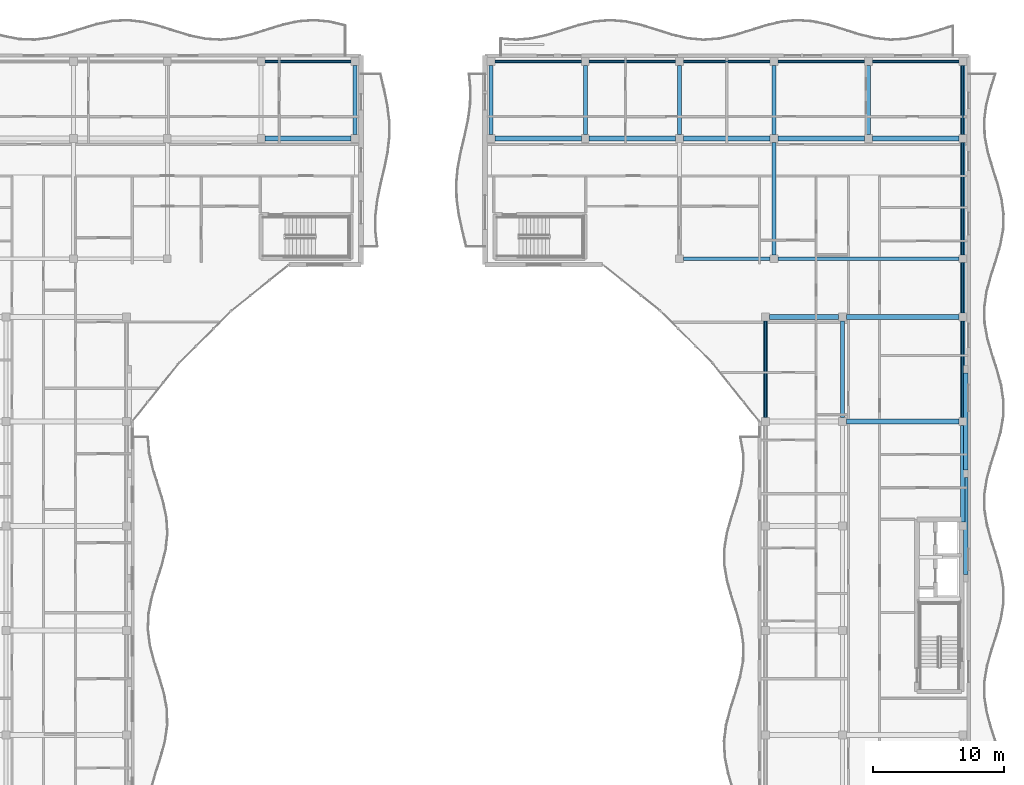
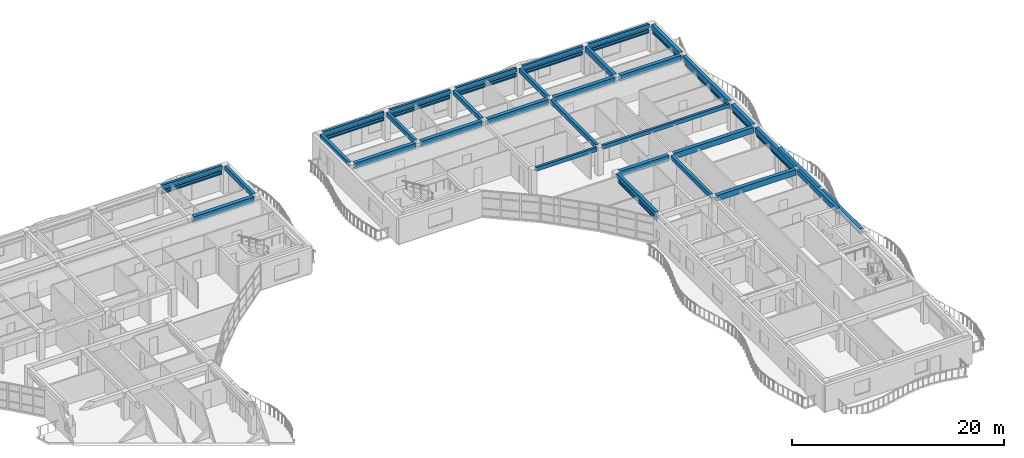
# One storey, part 27 of 79: 33 beams, 22 members.
"""IFC4 building model written with IfcOpenShell, lengths in metres."""

from ifc_helpers import new_model, si_unit, direction, frame, origin, origin_2d, place, context, subcontext, project, spatial, rectangle, hollow_rectangle, extrude, material, material_profile, profile_set, type_object, element, save


model = new_model("IFC4")

# Units and contexts
model_context = context("Model", 3, precision=1e-05, world=origin(), true_north=direction((0.0, 1.0)))
body_context = subcontext(model_context, "Body", "Model", "MODEL_VIEW")
ifc_project = project(units=[si_unit("LENGTHUNIT", "METRE"), si_unit("AREAUNIT", "SQUARE_METRE"), si_unit("VOLUMEUNIT", "CUBIC_METRE"), si_unit("PLANEANGLEUNIT", "RADIAN"), si_unit("MASSUNIT", "GRAM", prefix="KILO")], contexts=[model_context])

# Site, building, storey
site_placement = place(None, origin())
site = spatial("IfcSite", under=ifc_project, at=site_placement, CompositionType="ELEMENT")
building_placement = place(site_placement, origin())
building = spatial("IfcBuilding", under=site, at=building_placement, Name="Keldmere Railside Commons", CompositionType="ELEMENT")
storey_placement = place(building_placement, frame((0.0, 0.0, 10.56005859375)))
storey = spatial("IfcBuildingStorey", under=building, at=storey_placement, Name="L03", CompositionType="ELEMENT", Elevation=10.56005859375)

# Members
ifc_material_1 = material(Name="Steel F-36 (S355)", Category="steel")
ifc_material_profile_1 = material_profile(ifc_material_1, hollow_rectangle(XDim=0.14990234375, YDim=0.25, WallThickness=0.010009765625, at=origin_2d()), Name="RHS-250x150x10")
ifc_profile_set_1 = profile_set([ifc_material_profile_1], Name="Steel F-36 (S355)")
member_type_1 = type_object("IfcMemberType", Name="Balcony Continuous Planted Trough RHS250x150", PredefinedType="CHORD", material=ifc_profile_set_1)
member_1_placement = place(storey_placement, frame((130.1669921875, 115.550048828125, 2.4150390625), z_axis=(1.0, 0.0, 0.0), x_axis=(0.0, 1.0, 0.0)))
element("IfcMember", 1, at=member_1_placement, inside=storey, type_object=member_type_1, Name="PLT-1 MEM-BPLT-0399", PredefinedType="CHORD", context=body_context, shape_type="SweptSolid", body=[
    extrude(hollow_rectangle(XDim=0.14990234375, YDim=0.25, WallThickness=0.010009765625, at=origin_2d()), origin(), (0.0, 0.0, 1.0), 6.5830078125),
])
for number, where, z_axis, x_axis, name in (
    (2, (147.75, 115.550048828125, 2.4150390625), (1.0, 0.0, 0.0), (0.0, 1.0, 0.0), "PLT-1 MEM-BPLT-0417"),
    (3, (154.969970703125, 115.550048828125, 2.4150390625), (1.0, 0.0, 0.0), (0.0, 1.0, 0.0), "PLT-1 MEM-BPLT-0419"),
    (4, (162.18994140625, 115.550048828125, 2.4150390625), (1.0, 0.0, 0.0), (0.0, 1.0, 0.0), "PLT-1 MEM-BPLT-0421"),
    (5, (169.409912109375, 115.550048828125, 2.4150390625), (1.0, 0.0, 0.0), (0.0, 1.0, 0.0), "PLT-1 MEM-BPLT-0423"),
    (6, (176.6298828125, 115.550048828125, 2.4150390625), (1.0, 0.0, 0.0), (0.0, 1.0, 0.0), "PLT-1 MEM-BPLT-0425"),
):
    element("IfcMember", number, at=place(storey_placement, frame(where, z_axis=z_axis, x_axis=x_axis)), inside=storey, type_object=member_type_1, Name=name, PredefinedType="CHORD", context=body_context, shape_type="SweptSolid", body=[
        extrude(hollow_rectangle(XDim=0.14990234375, YDim=0.25, WallThickness=0.010009765625, at=origin_2d()), origin(), (0.0, 0.0, 1.0), 6.6201171875),
    ])
for number, where, z_axis, x_axis, name in (
    (7, (168.449951171875, 88.300048828125, 2.4150390625), (0.0, 1.0, 0.0), (-1.0, 0.0, 0.0), "PLT-1 MEM-BPLT-0435"),
    (8, (183.550048828125, 88.300048828125, 2.4150390625), (0.0, 1.0, 0.0), (-1.0, 0.0, 0.0), "PLT-1 MEM-BPLT-0439"),
):
    element("IfcMember", number, at=place(storey_placement, frame(where, z_axis=z_axis, x_axis=x_axis)), inside=storey, type_object=member_type_1, Name=name, PredefinedType="CHORD", context=body_context, shape_type="SweptSolid", body=[
        extrude(hollow_rectangle(XDim=0.14990234375, YDim=0.25, WallThickness=0.010009765625, at=origin_2d()), origin(), (0.0, 0.0, 1.0), 7.39990234375),
    ])
member_2_placement = place(storey_placement, frame((183.550048828125, 96.300048828125, 2.4150390625), z_axis=(0.0, 1.0, 0.0), x_axis=(-1.0, 0.0, 0.0)))
element("IfcMember", 9, at=member_2_placement, inside=storey, type_object=member_type_1, Name="PLT-1 MEM-BPLT-0441", PredefinedType="CHORD", context=body_context, shape_type="SweptSolid", body=[
    extrude(hollow_rectangle(XDim=0.14990234375, YDim=0.25, WallThickness=0.010009765625, at=origin_2d()), origin(), (0.0, 0.0, 1.0), 3.849853515625),
])
member_3_placement = place(storey_placement, frame((183.550048828125, 100.75, 2.4150390625), z_axis=(0.0, 1.0, 0.0), x_axis=(-1.0, 0.0, 0.0)))
element("IfcMember", 10, at=member_3_placement, inside=storey, type_object=member_type_1, Name="PLT-1 MEM-BPLT-0443", PredefinedType="CHORD", context=body_context, shape_type="SweptSolid", body=[
    extrude(hollow_rectangle(XDim=0.14990234375, YDim=0.25, WallThickness=0.010009765625, at=origin_2d()), origin(), (0.0, 0.0, 1.0), 8.60009765625),
])
member_4_placement = place(storey_placement, frame((183.550048828125, 109.949951171875, 2.4150390625), z_axis=(0.0, 1.0, 0.0), x_axis=(-1.0, 0.0, 0.0)))
element("IfcMember", 11, at=member_4_placement, inside=storey, type_object=member_type_1, Name="PLT-1 MEM-BPLT-0445", PredefinedType="CHORD", context=body_context, shape_type="SweptSolid", body=[
    extrude(hollow_rectangle(XDim=0.14990234375, YDim=0.25, WallThickness=0.010009765625, at=origin_2d()), origin(), (0.0, 0.0, 1.0), 5.300048828125),
])

# Beams
ifc_material_2 = material(Name="Architectural Precast Concrete H-35 (C35/45)", Category="concrete")
ifc_material_profile_2 = material_profile(ifc_material_2, rectangle(XDim=0.25, YDim=0.449951171875, at=origin_2d()), Name="RC-250x450")
ifc_profile_set_2 = profile_set([ifc_material_profile_2], Name="Architectural Precast Concrete H-35 (C35/45)")
beam_type_1 = type_object("IfcBeamType", Name="Perimeter Precast Spandrel Beam 250x450", PredefinedType="SPANDREL", material=ifc_profile_set_2)
beam_1_placement = place(storey_placement, frame((162.18994140625, 100.449951171875, 2.974853515625), z_axis=(1.0, 0.0, 0.0), x_axis=(0.0, 1.0, 0.0)))
element("IfcBeam", 12, at=beam_1_placement, inside=storey, type_object=beam_type_1, Name="SPB-1 BM-L03-1377", PredefinedType="SPANDREL", context=body_context, shape_type="SweptSolid", body=[
    extrude(rectangle(XDim=0.25, YDim=0.449951171875, at=origin_2d()), origin(), (0.0, 0.0, 1.0), 6.6201171875),
])
beam_2_placement = place(storey_placement, frame((169.409912109375, 100.449951171875, 2.974853515625), z_axis=(1.0, 0.0, 0.0), x_axis=(0.0, 1.0, 0.0)))
element("IfcBeam", 13, at=beam_2_placement, inside=storey, type_object=beam_type_1, Name="SPB-1 BM-L03-1378", PredefinedType="SPANDREL", context=body_context, shape_type="SweptSolid", body=[
    extrude(rectangle(XDim=0.25, YDim=0.449951171875, at=origin_2d()), origin(), (0.0, 0.0, 1.0), 13.840087890625),
])
beam_3_placement = place(storey_placement, frame((130.1669921875, 115.550048828125, 2.974853515625), z_axis=(1.0, 0.0, 0.0), x_axis=(0.0, 1.0, 0.0)))
element("IfcBeam", 14, at=beam_3_placement, inside=storey, type_object=beam_type_1, Name="SPB-1 BM-L03-1411", PredefinedType="SPANDREL", context=body_context, shape_type="SweptSolid", body=[
    extrude(rectangle(XDim=0.25, YDim=0.449951171875, at=origin_2d()), origin(), (0.0, 0.0, 1.0), 6.5830078125),
])
for number, where, z_axis, x_axis, name in (
    (15, (147.75, 115.550048828125, 2.974853515625), (1.0, 0.0, 0.0), (0.0, 1.0, 0.0), "SPB-1 BM-L03-1412"),
    (16, (154.969970703125, 115.550048828125, 2.974853515625), (1.0, 0.0, 0.0), (0.0, 1.0, 0.0), "SPB-1 BM-L03-1413"),
    (17, (162.18994140625, 115.550048828125, 2.974853515625), (1.0, 0.0, 0.0), (0.0, 1.0, 0.0), "SPB-1 BM-L03-1414"),
    (18, (169.409912109375, 115.550048828125, 2.974853515625), (1.0, 0.0, 0.0), (0.0, 1.0, 0.0), "SPB-1 BM-L03-1415"),
    (19, (176.6298828125, 115.550048828125, 2.974853515625), (1.0, 0.0, 0.0), (0.0, 1.0, 0.0), "SPB-1 BM-L03-1416"),
):
    element("IfcBeam", number, at=place(storey_placement, frame(where, z_axis=z_axis, x_axis=x_axis)), inside=storey, type_object=beam_type_1, Name=name, PredefinedType="SPANDREL", context=body_context, shape_type="SweptSolid", body=[
        extrude(rectangle(XDim=0.25, YDim=0.449951171875, at=origin_2d()), origin(), (0.0, 0.0, 1.0), 6.6201171875),
    ])
ifc_material_3 = material(Name="Concrete H-30 (C30/37)", Category="concrete")
ifc_material_profile_3 = material_profile(ifc_material_3, rectangle(XDim=0.35009765625, YDim=0.60009765625, at=origin_2d()), Name="RC-350x600")
ifc_profile_set_3 = profile_set([ifc_material_profile_3], Name="Concrete H-30 (C30/37)")
beam_type_2 = type_object("IfcBeamType", Name="Residential Chord RC Beam 350x600", PredefinedType="BEAM", material=ifc_profile_set_3)
beam_4_placement = place(storey_placement, frame((176.330078125, 109.949951171875, 2.89990234375), z_axis=(0.0, 1.0, 0.0), x_axis=(-1.0, 0.0, 0.0)))
element("IfcBeam", 20, at=beam_4_placement, inside=storey, type_object=beam_type_2, Name="BG-4 BM-L03-1505", PredefinedType="BEAM", context=body_context, shape_type="SweptSolid", body=[
    extrude(rectangle(XDim=0.35009765625, YDim=0.60009765625, at=origin_2d()), origin(), (0.0, 0.0, 1.0), 5.300048828125),
])
for number, where, z_axis, x_axis, name in (
    (21, (183.550048828125, 80.300048828125, 2.89990234375), (0.0, 1.0, 0.0), (-1.0, 0.0, 0.0), "BG-4 BM-L03-1507"),
    (22, (183.550048828125, 88.300048828125, 2.89990234375), (0.0, 1.0, 0.0), (-1.0, 0.0, 0.0), "BG-4 BM-L03-1508"),
):
    element("IfcBeam", number, at=place(storey_placement, frame(where, z_axis=z_axis, x_axis=x_axis)), inside=storey, type_object=beam_type_2, Name=name, PredefinedType="BEAM", context=body_context, shape_type="SweptSolid", body=[
        extrude(rectangle(XDim=0.35009765625, YDim=0.60009765625, at=origin_2d()), origin(), (0.0, 0.0, 1.0), 7.39990234375),
    ])
beam_5_placement = place(storey_placement, frame((183.550048828125, 96.300048828125, 2.89990234375), z_axis=(0.0, 1.0, 0.0), x_axis=(-1.0, 0.0, 0.0)))
element("IfcBeam", 23, at=beam_5_placement, inside=storey, type_object=beam_type_2, Name="BG-4 BM-L03-1509", PredefinedType="BEAM", context=body_context, shape_type="SweptSolid", body=[
    extrude(rectangle(XDim=0.35009765625, YDim=0.60009765625, at=origin_2d()), origin(), (0.0, 0.0, 1.0), 3.849853515625),
])
beam_6_placement = place(storey_placement, frame((183.550048828125, 100.75, 2.89990234375), z_axis=(0.0, 1.0, 0.0), x_axis=(-1.0, 0.0, 0.0)))
element("IfcBeam", 24, at=beam_6_placement, inside=storey, type_object=beam_type_2, Name="BG-4 BM-L03-1510", PredefinedType="BEAM", context=body_context, shape_type="SweptSolid", body=[
    extrude(rectangle(XDim=0.35009765625, YDim=0.60009765625, at=origin_2d()), origin(), (0.0, 0.0, 1.0), 8.60009765625),
])
beam_7_placement = place(storey_placement, frame((183.550048828125, 109.949951171875, 2.89990234375), z_axis=(0.0, 1.0, 0.0), x_axis=(-1.0, 0.0, 0.0)))
element("IfcBeam", 25, at=beam_7_placement, inside=storey, type_object=beam_type_2, Name="BG-4 BM-L03-1511", PredefinedType="BEAM", context=body_context, shape_type="SweptSolid", body=[
    extrude(rectangle(XDim=0.35009765625, YDim=0.60009765625, at=origin_2d()), origin(), (0.0, 0.0, 1.0), 5.300048828125),
])
for number, where, z_axis, x_axis, name in (
    (26, (183.780029296875, 76.27490234375, 2.89990234375), (0.0, 1.0, 0.0), (-1.0, 0.0, 0.0), "BG-4 BM-L03-1512"),
    (27, (183.780029296875, 84.27490234375, 2.89990234375), (0.0, 1.0, 0.0), (-1.0, 0.0, 0.0), "BG-4 BM-L03-1513"),
):
    element("IfcBeam", number, at=place(storey_placement, frame(where, z_axis=z_axis, x_axis=x_axis)), inside=storey, type_object=beam_type_2, Name=name, PredefinedType="BEAM", context=body_context, shape_type="SweptSolid", body=[
        extrude(rectangle(XDim=0.35009765625, YDim=0.60009765625, at=origin_2d()), origin(), (0.0, 0.0, 1.0), 7.4501953125),
    ])
ifc_material_profile_4 = material_profile(ifc_material_3, rectangle(XDim=0.39990234375, YDim=0.64990234375, at=origin_2d()), Name="RC-400x650")
ifc_profile_set_4 = profile_set([ifc_material_profile_4], Name="Concrete H-30 (C30/37)")
beam_type_3 = type_object("IfcBeamType", Name="Residential Spine RC Girder 400x650", PredefinedType="BEAM", material=ifc_profile_set_4)
beam_8_placement = place(storey_placement, frame((174.64990234375, 88.0, 2.875), z_axis=(1.0, 0.0, 0.0), x_axis=(0.0, 1.0, 0.0)))
element("IfcBeam", 28, at=beam_8_placement, inside=storey, type_object=beam_type_3, Name="BG-3 BM-L03-1360", PredefinedType="BEAM", context=body_context, shape_type="SweptSolid", body=[
    extrude(rectangle(XDim=0.39990234375, YDim=0.64990234375, at=origin_2d()), origin(), (0.0, 0.0, 1.0), 8.60009765625),
])
beam_9_placement = place(storey_placement, frame((168.75, 96.0, 2.875), z_axis=(1.0, 0.0, 0.0), x_axis=(0.0, 1.0, 0.0)))
element("IfcBeam", 29, at=beam_9_placement, inside=storey, type_object=beam_type_3, Name="BG-3 BM-L03-1367", PredefinedType="BEAM", context=body_context, shape_type="SweptSolid", body=[
    extrude(rectangle(XDim=0.39990234375, YDim=0.64990234375, at=origin_2d()), origin(), (0.0, 0.0, 1.0), 5.300048828125),
])
beam_10_placement = place(storey_placement, frame((174.64990234375, 96.0, 2.875), z_axis=(1.0, 0.0, 0.0), x_axis=(0.0, 1.0, 0.0)))
element("IfcBeam", 30, at=beam_10_placement, inside=storey, type_object=beam_type_3, Name="BG-3 BM-L03-1368", PredefinedType="BEAM", context=body_context, shape_type="SweptSolid", body=[
    extrude(rectangle(XDim=0.39990234375, YDim=0.64990234375, at=origin_2d()), origin(), (0.0, 0.0, 1.0), 8.60009765625),
])
beam_11_placement = place(storey_placement, frame((130.1669921875, 109.64990234375, 2.875), z_axis=(1.0, 0.0, 0.0), x_axis=(0.0, 1.0, 0.0)))
element("IfcBeam", 31, at=beam_11_placement, inside=storey, type_object=beam_type_3, Name="BG-3 BM-L03-1392", PredefinedType="BEAM", context=body_context, shape_type="SweptSolid", body=[
    extrude(rectangle(XDim=0.39990234375, YDim=0.64990234375, at=origin_2d()), origin(), (0.0, 0.0, 1.0), 6.5830078125),
])
for number, where, z_axis, x_axis, name in (
    (32, (147.75, 109.64990234375, 2.875), (1.0, 0.0, 0.0), (0.0, 1.0, 0.0), "BG-3 BM-L03-1393"),
    (33, (154.969970703125, 109.64990234375, 2.875), (1.0, 0.0, 0.0), (0.0, 1.0, 0.0), "BG-3 BM-L03-1394"),
    (34, (162.18994140625, 109.64990234375, 2.875), (1.0, 0.0, 0.0), (0.0, 1.0, 0.0), "BG-3 BM-L03-1395"),
    (35, (169.409912109375, 109.64990234375, 2.875), (1.0, 0.0, 0.0), (0.0, 1.0, 0.0), "BG-3 BM-L03-1396"),
    (36, (176.6298828125, 109.64990234375, 2.875), (1.0, 0.0, 0.0), (0.0, 1.0, 0.0), "BG-3 BM-L03-1397"),
):
    element("IfcBeam", number, at=place(storey_placement, frame(where, z_axis=z_axis, x_axis=x_axis)), inside=storey, type_object=beam_type_3, Name=name, PredefinedType="BEAM", context=body_context, shape_type="SweptSolid", body=[
        extrude(rectangle(XDim=0.39990234375, YDim=0.64990234375, at=origin_2d()), origin(), (0.0, 0.0, 1.0), 6.6201171875),
    ])
ifc_material_profile_5 = material_profile(ifc_material_3, rectangle(XDim=0.300048828125, YDim=0.5, at=origin_2d()), Name="RC-300x500")
ifc_profile_set_5 = profile_set([ifc_material_profile_5], Name="Concrete H-30 (C30/37)")
beam_type_4 = type_object("IfcBeamType", Name="Secondary Frame RC Beam 300x500", PredefinedType="BEAM", material=ifc_profile_set_5)
for number, where, z_axis, x_axis, name in (
    (37, (137.050048828125, 109.949951171875, 2.949951171875), (0.0, 1.0, 0.0), (-1.0, 0.0, 0.0), "BG-5 BM-L03-1488"),
    (38, (147.449951171875, 109.949951171875, 2.949951171875), (0.0, 1.0, 0.0), (-1.0, 0.0, 0.0), "BG-5 BM-L03-1489"),
    (39, (154.669921875, 109.949951171875, 2.949951171875), (0.0, 1.0, 0.0), (-1.0, 0.0, 0.0), "BG-5 BM-L03-1490"),
    (40, (161.889892578125, 109.949951171875, 2.949951171875), (0.0, 1.0, 0.0), (-1.0, 0.0, 0.0), "BG-5 BM-L03-1492"),
):
    element("IfcBeam", number, at=place(storey_placement, frame(where, z_axis=z_axis, x_axis=x_axis)), inside=storey, type_object=beam_type_4, Name=name, PredefinedType="BEAM", context=body_context, shape_type="SweptSolid", body=[
        extrude(rectangle(XDim=0.300048828125, YDim=0.5, at=origin_2d()), origin(), (0.0, 0.0, 1.0), 5.300048828125),
    ])
beam_12_placement = place(storey_placement, frame((168.449951171875, 88.300048828125, 2.949951171875), z_axis=(0.0, 1.0, 0.0), x_axis=(-1.0, 0.0, 0.0)))
element("IfcBeam", 41, at=beam_12_placement, inside=storey, type_object=beam_type_4, Name="BG-5 BM-L03-1497", PredefinedType="BEAM", context=body_context, shape_type="SweptSolid", body=[
    extrude(rectangle(XDim=0.300048828125, YDim=0.5, at=origin_2d()), origin(), (0.0, 0.0, 1.0), 7.39990234375),
])
beam_13_placement = place(storey_placement, frame((169.110107421875, 100.75, 2.949951171875), z_axis=(0.0, 1.0, 0.0), x_axis=(-1.0, 0.0, 0.0)))
element("IfcBeam", 42, at=beam_13_placement, inside=storey, type_object=beam_type_4, Name="BG-5 BM-L03-1498", PredefinedType="BEAM", context=body_context, shape_type="SweptSolid", body=[
    extrude(rectangle(XDim=0.300048828125, YDim=0.5, at=origin_2d()), origin(), (0.0, 0.0, 1.0), 8.60009765625),
])
beam_14_placement = place(storey_placement, frame((169.110107421875, 109.949951171875, 2.949951171875), z_axis=(0.0, 1.0, 0.0), x_axis=(-1.0, 0.0, 0.0)))
element("IfcBeam", 43, at=beam_14_placement, inside=storey, type_object=beam_type_4, Name="BG-5 BM-L03-1499", PredefinedType="BEAM", context=body_context, shape_type="SweptSolid", body=[
    extrude(rectangle(XDim=0.300048828125, YDim=0.5, at=origin_2d()), origin(), (0.0, 0.0, 1.0), 5.300048828125),
])
beam_15_placement = place(storey_placement, frame((174.35009765625, 88.300048828125, 2.949951171875), z_axis=(0.0, 1.0, 0.0), x_axis=(-1.0, 0.0, 0.0)))
element("IfcBeam", 44, at=beam_15_placement, inside=storey, type_object=beam_type_4, Name="BG-5 BM-L03-1504", PredefinedType="BEAM", context=body_context, shape_type="SweptSolid", body=[
    extrude(rectangle(XDim=0.300048828125, YDim=0.5, at=origin_2d()), origin(), (0.0, 0.0, 1.0), 7.39990234375),
])

# Members
ifc_material_profile_6 = material_profile(ifc_material_1, hollow_rectangle(XDim=0.10009765625, YDim=0.159912109375, WallThickness=0.008056640625, at=origin_2d()), Name="RHS-160x100x8")
ifc_profile_set_6 = profile_set([ifc_material_profile_6], Name="Steel F-36 (S355)")
member_type_2 = type_object("IfcMemberType", Name="Solar Brise-Soleil Louvre Fin RHS160x100", PredefinedType="STRUT", material=ifc_profile_set_6)
member_5_placement = place(storey_placement, frame((130.1669921875, 115.550048828125, 2.199951171875), z_axis=(1.0, 0.0, 0.0), x_axis=(0.0, 1.0, 0.0)))
element("IfcMember", 45, at=member_5_placement, inside=storey, type_object=member_type_2, Name="BSF-1 MEM-BSF-0400", PredefinedType="STRUT", context=body_context, shape_type="SweptSolid", body=[
    extrude(hollow_rectangle(XDim=0.10009765625, YDim=0.159912109375, WallThickness=0.008056640625, at=origin_2d()), origin(), (0.0, 0.0, 1.0), 6.5830078125),
])
for number, where, z_axis, x_axis, name in (
    (46, (147.75, 115.550048828125, 2.199951171875), (1.0, 0.0, 0.0), (0.0, 1.0, 0.0), "BSF-1 MEM-BSF-0418"),
    (47, (154.969970703125, 115.550048828125, 2.199951171875), (1.0, 0.0, 0.0), (0.0, 1.0, 0.0), "BSF-1 MEM-BSF-0420"),
    (48, (162.18994140625, 115.550048828125, 2.199951171875), (1.0, 0.0, 0.0), (0.0, 1.0, 0.0), "BSF-1 MEM-BSF-0422"),
    (49, (169.409912109375, 115.550048828125, 2.199951171875), (1.0, 0.0, 0.0), (0.0, 1.0, 0.0), "BSF-1 MEM-BSF-0424"),
    (50, (176.6298828125, 115.550048828125, 2.199951171875), (1.0, 0.0, 0.0), (0.0, 1.0, 0.0), "BSF-1 MEM-BSF-0426"),
):
    element("IfcMember", number, at=place(storey_placement, frame(where, z_axis=z_axis, x_axis=x_axis)), inside=storey, type_object=member_type_2, Name=name, PredefinedType="STRUT", context=body_context, shape_type="SweptSolid", body=[
        extrude(hollow_rectangle(XDim=0.10009765625, YDim=0.159912109375, WallThickness=0.008056640625, at=origin_2d()), origin(), (0.0, 0.0, 1.0), 6.6201171875),
    ])
for number, where, z_axis, x_axis, name in (
    (51, (168.449951171875, 88.300048828125, 2.199951171875), (0.0, 1.0, 0.0), (-1.0, 0.0, 0.0), "BSF-1 MEM-BSF-0436"),
    (52, (183.550048828125, 88.300048828125, 2.199951171875), (0.0, 1.0, 0.0), (-1.0, 0.0, 0.0), "BSF-1 MEM-BSF-0440"),
):
    element("IfcMember", number, at=place(storey_placement, frame(where, z_axis=z_axis, x_axis=x_axis)), inside=storey, type_object=member_type_2, Name=name, PredefinedType="STRUT", context=body_context, shape_type="SweptSolid", body=[
        extrude(hollow_rectangle(XDim=0.10009765625, YDim=0.159912109375, WallThickness=0.008056640625, at=origin_2d()), origin(), (0.0, 0.0, 1.0), 7.39990234375),
    ])
member_6_placement = place(storey_placement, frame((183.550048828125, 96.300048828125, 2.199951171875), z_axis=(0.0, 1.0, 0.0), x_axis=(-1.0, 0.0, 0.0)))
element("IfcMember", 53, at=member_6_placement, inside=storey, type_object=member_type_2, Name="BSF-1 MEM-BSF-0442", PredefinedType="STRUT", context=body_context, shape_type="SweptSolid", body=[
    extrude(hollow_rectangle(XDim=0.10009765625, YDim=0.159912109375, WallThickness=0.008056640625, at=origin_2d()), origin(), (0.0, 0.0, 1.0), 3.849853515625),
])
member_7_placement = place(storey_placement, frame((183.550048828125, 100.75, 2.199951171875), z_axis=(0.0, 1.0, 0.0), x_axis=(-1.0, 0.0, 0.0)))
element("IfcMember", 54, at=member_7_placement, inside=storey, type_object=member_type_2, Name="BSF-1 MEM-BSF-0444", PredefinedType="STRUT", context=body_context, shape_type="SweptSolid", body=[
    extrude(hollow_rectangle(XDim=0.10009765625, YDim=0.159912109375, WallThickness=0.008056640625, at=origin_2d()), origin(), (0.0, 0.0, 1.0), 8.60009765625),
])
member_8_placement = place(storey_placement, frame((183.550048828125, 109.949951171875, 2.199951171875), z_axis=(0.0, 1.0, 0.0), x_axis=(-1.0, 0.0, 0.0)))
element("IfcMember", 55, at=member_8_placement, inside=storey, type_object=member_type_2, Name="BSF-1 MEM-BSF-0446", PredefinedType="STRUT", context=body_context, shape_type="SweptSolid", body=[
    extrude(hollow_rectangle(XDim=0.10009765625, YDim=0.159912109375, WallThickness=0.008056640625, at=origin_2d()), origin(), (0.0, 0.0, 1.0), 5.300048828125),
])

save(model, "model.ifc")
